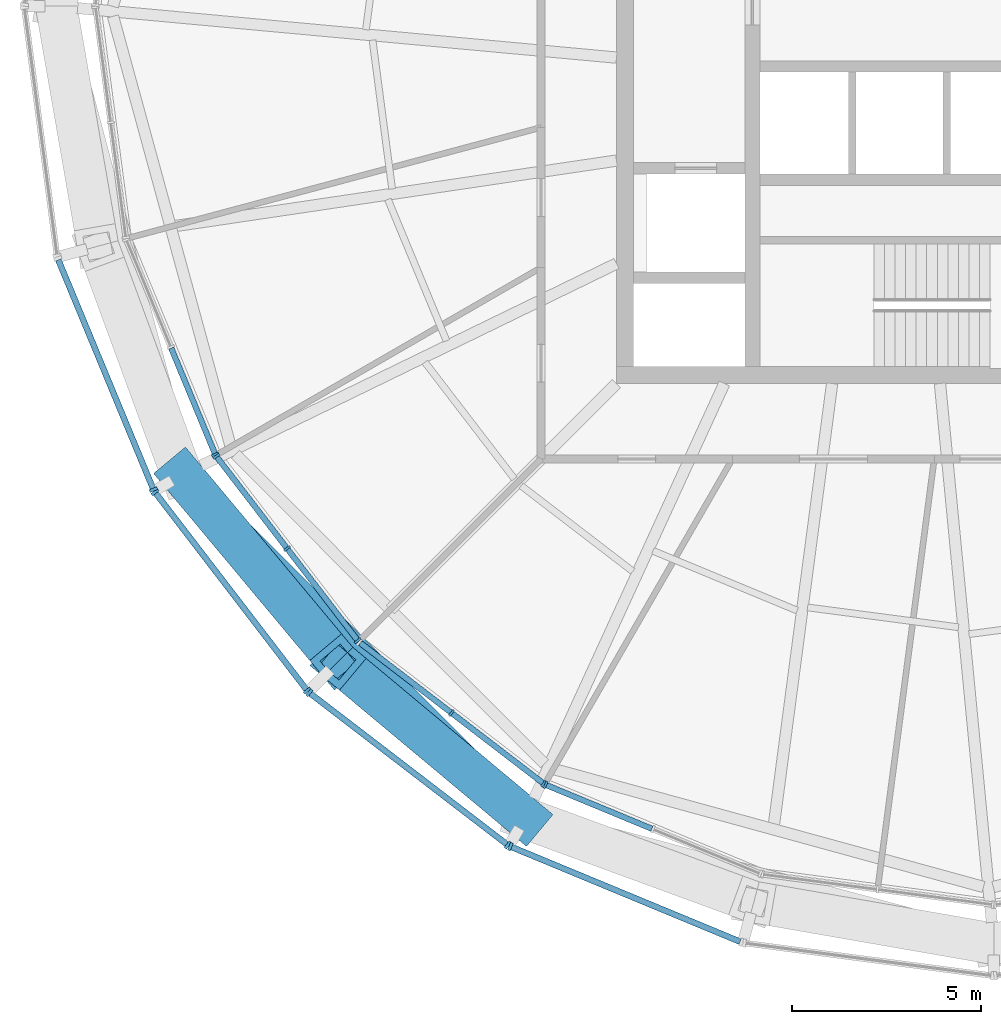
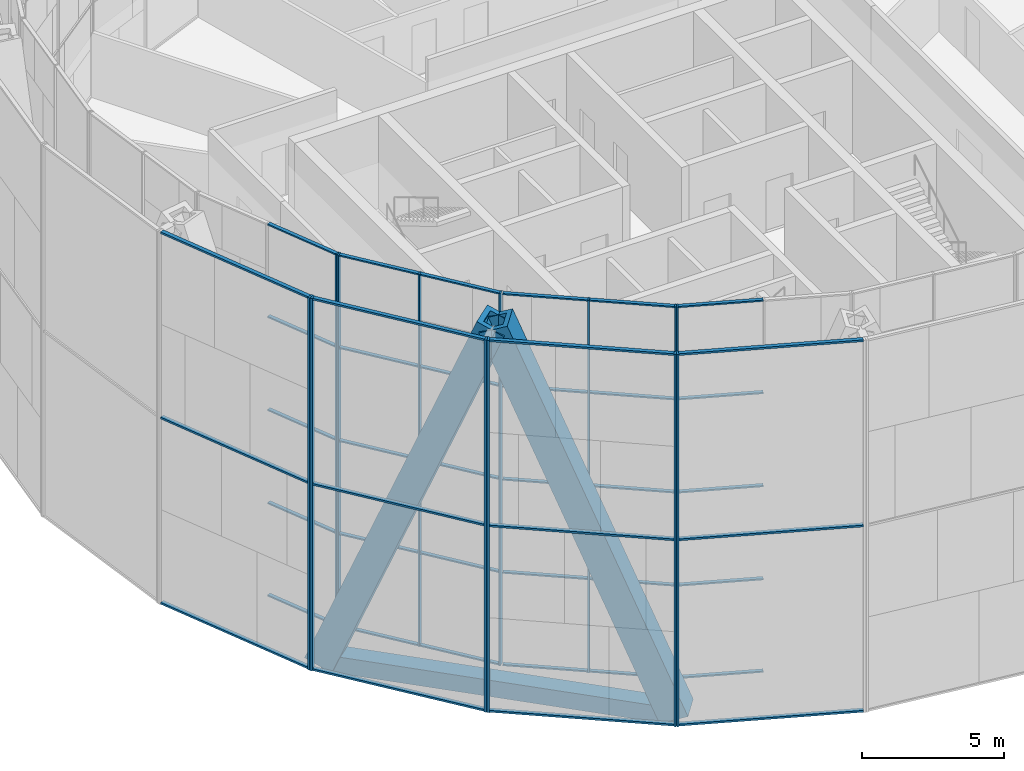
# One storey, part 1 of 28: 57 members, 1 beam, 8 elements without a shape of their own.
"""IFC4 building model written with IfcOpenShell, lengths in metres."""

from ifc_helpers import new_model, si_unit, direction, frame, origin, origin_2d, place, context, subcontext, project, spatial, rectangle, hollow_rectangle, extrude, material, material_profile, profile_set, type_object, element, aggregate, save


model = new_model("IFC4")

# Units and contexts
model_context = context("Model", 3, precision=1e-05, world=origin(), true_north=direction((0.0, 1.0)))
body_context = subcontext(model_context, "Body", "Model", "MODEL_VIEW")
ifc_project = project(units=[si_unit("LENGTHUNIT", "METRE"), si_unit("AREAUNIT", "SQUARE_METRE"), si_unit("VOLUMEUNIT", "CUBIC_METRE"), si_unit("PLANEANGLEUNIT", "RADIAN"), si_unit("MASSUNIT", "GRAM", prefix="KILO")], contexts=[model_context])

# Site, building, storey
site_placement = place(None, origin())
site = spatial("IfcSite", under=ifc_project, at=site_placement, CompositionType="ELEMENT")
building_placement = place(site_placement, origin())
building = spatial("IfcBuilding", under=site, at=building_placement, Name="Golbaran Civic Tower", CompositionType="ELEMENT")
storey_placement = place(building_placement, frame((0.0, 0.0, 183.0)))
storey = spatial("IfcBuildingStorey", under=building, at=storey_placement, Name="L44", CompositionType="ELEMENT", Elevation=183.0)

# Members
ifc_material_1 = material(Name="Steel S355", Category="steel")
ifc_material_profile_1 = material_profile(ifc_material_1, hollow_rectangle(XDim=1.10009765625, YDim=1.10009765625, WallThickness=0.199951171875, at=origin_2d()), Name="BOX 1100x1100x200")
ifc_profile_set_1 = profile_set([ifc_material_profile_1], Name="Steel S355")
member_type_1 = type_object("IfcMemberType", Name="DIAGRID DIAGONAL BOX 1100x1100x200", PredefinedType="BRACE", material=ifc_profile_set_1)
for number, where, z_axis, x_axis, name in (
    (1, (-21.51806640625, -12.423583984375, -0.7099609375), (0.239886471914, -0.287218522204, 0.927340283335), (0.767514155398, 0.641031997067, 0.0), "Diagonal D10-07R L44-L48"),
    (2, (-12.423583984375, -21.51806640625, -0.7099609375), (-0.287218522204, 0.239886471914, 0.927340283335), (-0.641031997067, -0.767514155398, 0.0), "Diagonal D10-08L L44-L48"),
):
    element("IfcMember", number, at=place(storey_placement, frame(where, z_axis=z_axis, x_axis=x_axis)), inside=storey, type_object=member_type_1, Name=name, PredefinedType="BRACE", context=body_context, shape_type="SweptSolid", body=[
        extrude(hollow_rectangle(XDim=1.10009765625, YDim=1.10009765625, WallThickness=0.199951171875, at=origin_2d()), origin(), (0.0, 0.0, 1.0), 17.253662109375),
    ])

# Beam
ifc_material_profile_2 = material_profile(ifc_material_1, hollow_rectangle(XDim=0.699951171875, YDim=0.699951171875, WallThickness=0.080078125, at=origin_2d()), Name="BOX 700x700x80")
ifc_profile_set_2 = profile_set([ifc_material_profile_2], Name="Steel S355")
beam_type = type_object("IfcBeamType", Name="DIAGRID RING TIE BOX 700x700x80", PredefinedType="BEAM", material=ifc_profile_set_2)
beam_placement = place(storey_placement, frame((-21.51806640625, -12.423583984375, -0.7099609375), z_axis=(0.707106781187, -0.707106781187, 0.0), x_axis=(0.707106781187, 0.707106781187, 0.0)))
element("IfcBeam", 3, at=beam_placement, inside=storey, type_object=beam_type, Name="Ring tie 210.00 L44", PredefinedType="BEAM", context=body_context, shape_type="SweptSolid", body=[
    extrude(hollow_rectangle(XDim=0.699951171875, YDim=0.699951171875, WallThickness=0.080078125, at=origin_2d()), origin(), (0.0, 0.0, 1.0), 12.861572265625),
])

# Curtain wall, member
ifc_material_2 = material(Name="Aluminium and glass", Category="aluminium")
curtain_wall_type_1 = type_object("IfcCurtainWallType", Name="INNER SKIN CURTAIN WALL EXECUTIVE", PredefinedType="NOTDEFINED", material=ifc_material_2)
curtain_wall_1_placement = place(storey_placement, origin())
curtain_wall_1 = element("IfcCurtainWall", 4, at=curtain_wall_1_placement, inside=storey, type_object=curtain_wall_type_1, Name="Inner skin L44 facet 14 CW2", ObjectType="INNER SKIN", PredefinedType="USERDEFINED")
ifc_material_3 = material(Name="Aluminium", Category="aluminium")
ifc_material_profile_3 = material_profile(ifc_material_3, rectangle(XDim=0.199951171875, YDim=0.06005859375, at=origin_2d()), Name="INNER SKIN CURTAIN WALL EXECUTIVE MULLION")
ifc_profile_set_3 = profile_set([ifc_material_profile_3], Name="Aluminium")
member_type_2 = type_object("IfcMemberType", Name="INNER SKIN CURTAIN WALL EXECUTIVE MULLION", PredefinedType="MULLION", material=ifc_profile_set_3)
member_1_placement = place(storey_placement, frame((-20.63330078125, -11.878173828125, 0.0), z_axis=(0.0, 0.0, 1.0), x_axis=(0.923879532491, 0.382683432413, 0.0)))
member_1 = element("IfcMember", 5, at=member_1_placement, type_object=member_type_2, Name="CW2 mullion 3", PredefinedType="MULLION", context=body_context, shape_type="SweptSolid", body=[
    extrude(rectangle(XDim=0.199951171875, YDim=0.06005859375, at=origin_2d()), origin(), (0.0, 0.0, 1.0), 16.0),
])

# Curtain wall, members
curtain_wall_2_placement = place(storey_placement, origin())
curtain_wall_2 = element("IfcCurtainWall", 6, at=curtain_wall_2_placement, inside=storey, type_object=curtain_wall_type_1, Name="Inner skin L44 facet 15 CW2", ObjectType="INNER SKIN", PredefinedType="USERDEFINED")
member_2_placement = place(storey_placement, frame((-20.603515625, -11.9296875, 0.0), z_axis=(0.0, 0.0, 1.0), x_axis=(0.793353340334, 0.608761428953, 0.0)))
member_2 = element("IfcMember", 7, at=member_2_placement, type_object=member_type_2, Name="CW2 mullion 1", PredefinedType="MULLION", context=body_context, shape_type="SweptSolid", body=[
    extrude(rectangle(XDim=0.199951171875, YDim=0.06005859375, at=origin_2d()), origin(), (0.0, 0.0, 1.0), 16.0),
])
member_3_placement = place(storey_placement, frame((-18.729736328125, -14.371826171875, 0.0), z_axis=(0.0, 0.0, 1.0), x_axis=(0.793353340334, 0.608761428953, 0.0)))
member_3 = element("IfcMember", 8, at=member_3_placement, type_object=member_type_2, Name="CW2 mullion 2", PredefinedType="MULLION", context=body_context, shape_type="SweptSolid", body=[
    extrude(rectangle(XDim=0.199951171875, YDim=0.06005859375, at=origin_2d()), origin(), (0.0, 0.0, 1.0), 16.0),
])
member_4_placement = place(storey_placement, frame((-16.85595703125, -16.813720703125, 0.0), z_axis=(0.0, 0.0, 1.0), x_axis=(0.793353340334, 0.608761428953, 0.0)))
member_4 = element("IfcMember", 9, at=member_4_placement, type_object=member_type_2, Name="CW2 mullion 3", PredefinedType="MULLION", context=body_context, shape_type="SweptSolid", body=[
    extrude(rectangle(XDim=0.199951171875, YDim=0.06005859375, at=origin_2d()), origin(), (0.0, 0.0, 1.0), 16.0),
])

curtain_wall_3_placement = place(storey_placement, origin())
curtain_wall_3 = element("IfcCurtainWall", 10, at=curtain_wall_3_placement, inside=storey, type_object=curtain_wall_type_1, Name="Inner skin L44 facet 16 CW2", ObjectType="INNER SKIN", PredefinedType="USERDEFINED")
member_5_placement = place(storey_placement, frame((-14.371826171875, -18.729736328125, 0.0), z_axis=(0.0, 0.0, 1.0), x_axis=(0.608761428953, 0.793353340334, 0.0)))
member_5 = element("IfcMember", 11, at=member_5_placement, type_object=member_type_2, Name="CW2 mullion 2", PredefinedType="MULLION", context=body_context, shape_type="SweptSolid", body=[
    extrude(rectangle(XDim=0.199951171875, YDim=0.06005859375, at=origin_2d()), origin(), (0.0, 0.0, 1.0), 16.0),
])
member_6_placement = place(storey_placement, frame((-11.9296875, -20.603515625, 0.0), z_axis=(0.0, 0.0, 1.0), x_axis=(0.608761428953, 0.793353340334, 0.0)))
member_6 = element("IfcMember", 12, at=member_6_placement, type_object=member_type_2, Name="CW2 mullion 3", PredefinedType="MULLION", context=body_context, shape_type="SweptSolid", body=[
    extrude(rectangle(XDim=0.199951171875, YDim=0.06005859375, at=origin_2d()), origin(), (0.0, 0.0, 1.0), 16.0),
])

# Curtain wall, member
curtain_wall_4_placement = place(storey_placement, origin())
curtain_wall_4 = element("IfcCurtainWall", 13, at=curtain_wall_4_placement, inside=storey, type_object=curtain_wall_type_1, Name="Inner skin L44 facet 17 CW2", ObjectType="INNER SKIN", PredefinedType="USERDEFINED")
member_7_placement = place(storey_placement, frame((-11.878173828125, -20.63330078125, 0.0), z_axis=(0.0, 0.0, 1.0), x_axis=(0.382683432413, 0.923879532491, 0.0)))
member_7 = element("IfcMember", 14, at=member_7_placement, type_object=member_type_2, Name="CW2 mullion 1", PredefinedType="MULLION", context=body_context, shape_type="SweptSolid", body=[
    extrude(rectangle(XDim=0.199951171875, YDim=0.06005859375, at=origin_2d()), origin(), (0.0, 0.0, 1.0), 16.0),
])

# Member
ifc_material_profile_4 = material_profile(ifc_material_3, rectangle(XDim=0.14990234375, YDim=0.06005859375, at=origin_2d()), Name="INNER SKIN CURTAIN WALL EXECUTIVE TRANSOM")
ifc_profile_set_4 = profile_set([ifc_material_profile_4], Name="Aluminium")
member_type_3 = type_object("IfcMemberType", Name="INNER SKIN CURTAIN WALL EXECUTIVE TRANSOM", PredefinedType="USERDEFINED", material=ifc_profile_set_4)
member_8_placement = place(storey_placement, frame((-21.7998046875, -9.062255859375, 0.030029296875), z_axis=(0.382701860943, -0.923871898929, 0.0), x_axis=(0.923871898929, 0.382701860943, 0.0)))
member_8 = element("IfcMember", 15, at=member_8_placement, type_object=member_type_3, Name="CW2 transom 2.1", ObjectType="TRANSOM", PredefinedType="USERDEFINED", context=body_context, shape_type="SweptSolid", body=[
    extrude(rectangle(XDim=0.14990234375, YDim=0.06005859375, at=origin_2d()), origin(), (0.0, 0.0, 1.0), 3.01806640625),
])

member_9_placement = place(storey_placement, frame((-21.7998046875, -9.062255859375, 4.0), z_axis=(0.382701860943, -0.923871898929, 0.0), x_axis=(0.923871898929, 0.382701860943, 0.0)))
member_9 = element("IfcMember", 16, at=member_9_placement, type_object=member_type_3, Name="CW2 transom 2.2", ObjectType="TRANSOM", PredefinedType="USERDEFINED", context=body_context, shape_type="SweptSolid", body=[
    extrude(rectangle(XDim=0.14990234375, YDim=0.06005859375, at=origin_2d()), origin(), (0.0, 0.0, 1.0), 3.01806640625),
])

member_10_placement = place(storey_placement, frame((-21.7998046875, -9.062255859375, 8.0), z_axis=(0.382701860943, -0.923871898929, 0.0), x_axis=(0.923871898929, 0.382701860943, 0.0)))
member_10 = element("IfcMember", 17, at=member_10_placement, type_object=member_type_3, Name="CW2 transom 2.3", ObjectType="TRANSOM", PredefinedType="USERDEFINED", context=body_context, shape_type="SweptSolid", body=[
    extrude(rectangle(XDim=0.14990234375, YDim=0.06005859375, at=origin_2d()), origin(), (0.0, 0.0, 1.0), 3.01806640625),
])

member_11_placement = place(storey_placement, frame((-21.7998046875, -9.062255859375, 12.0), z_axis=(0.382701860943, -0.923871898929, 0.0), x_axis=(0.923871898929, 0.382701860943, 0.0)))
member_11 = element("IfcMember", 18, at=member_11_placement, type_object=member_type_3, Name="CW2 transom 2.4", ObjectType="TRANSOM", PredefinedType="USERDEFINED", context=body_context, shape_type="SweptSolid", body=[
    extrude(rectangle(XDim=0.14990234375, YDim=0.06005859375, at=origin_2d()), origin(), (0.0, 0.0, 1.0), 3.01806640625),
])

member_12_placement = place(storey_placement, frame((-21.7998046875, -9.062255859375, 15.969970703125), z_axis=(0.382701860943, -0.923871898929, 0.0), x_axis=(0.923871898929, 0.382701860943, 0.0)))
member_12 = element("IfcMember", 19, at=member_12_placement, type_object=member_type_3, Name="CW2 transom 2.5", ObjectType="TRANSOM", PredefinedType="USERDEFINED", context=body_context, shape_type="SweptSolid", body=[
    extrude(rectangle(XDim=0.14990234375, YDim=0.06005859375, at=origin_2d()), origin(), (0.0, 0.0, 1.0), 3.01806640625),
])

aggregate(curtain_wall_1, [member_1, member_8, member_9, member_10, member_11, member_12])

member_13_placement = place(storey_placement, frame((-20.585205078125, -11.95361328125, 0.030029296875), z_axis=(0.608752479135, -0.793360207691, 0.0), x_axis=(0.793360207691, 0.608752479135, 0.0)))
member_13 = element("IfcMember", 20, at=member_13_placement, type_object=member_type_3, Name="CW2 transom 1.1", ObjectType="TRANSOM", PredefinedType="USERDEFINED", context=body_context, shape_type="SweptSolid", body=[
    extrude(rectangle(XDim=0.14990234375, YDim=0.06005859375, at=origin_2d()), origin(), (0.0, 0.0, 1.0), 3.017822265625),
])

member_14_placement = place(storey_placement, frame((-20.585205078125, -11.95361328125, 4.0), z_axis=(0.608752479135, -0.793360207691, 0.0), x_axis=(0.793360207691, 0.608752479135, 0.0)))
member_14 = element("IfcMember", 21, at=member_14_placement, type_object=member_type_3, Name="CW2 transom 1.2", ObjectType="TRANSOM", PredefinedType="USERDEFINED", context=body_context, shape_type="SweptSolid", body=[
    extrude(rectangle(XDim=0.14990234375, YDim=0.06005859375, at=origin_2d()), origin(), (0.0, 0.0, 1.0), 3.017822265625),
])

member_15_placement = place(storey_placement, frame((-20.585205078125, -11.95361328125, 8.0), z_axis=(0.608752479135, -0.793360207691, 0.0), x_axis=(0.793360207691, 0.608752479135, 0.0)))
member_15 = element("IfcMember", 22, at=member_15_placement, type_object=member_type_3, Name="CW2 transom 1.3", ObjectType="TRANSOM", PredefinedType="USERDEFINED", context=body_context, shape_type="SweptSolid", body=[
    extrude(rectangle(XDim=0.14990234375, YDim=0.06005859375, at=origin_2d()), origin(), (0.0, 0.0, 1.0), 3.017822265625),
])

member_16_placement = place(storey_placement, frame((-20.585205078125, -11.95361328125, 12.0), z_axis=(0.608752479135, -0.793360207691, 0.0), x_axis=(0.793360207691, 0.608752479135, 0.0)))
member_16 = element("IfcMember", 23, at=member_16_placement, type_object=member_type_3, Name="CW2 transom 1.4", ObjectType="TRANSOM", PredefinedType="USERDEFINED", context=body_context, shape_type="SweptSolid", body=[
    extrude(rectangle(XDim=0.14990234375, YDim=0.06005859375, at=origin_2d()), origin(), (0.0, 0.0, 1.0), 3.017822265625),
])

member_17_placement = place(storey_placement, frame((-20.585205078125, -11.95361328125, 15.969970703125), z_axis=(0.608752479135, -0.793360207691, 0.0), x_axis=(0.793360207691, 0.608752479135, 0.0)))
member_17 = element("IfcMember", 24, at=member_17_placement, type_object=member_type_3, Name="CW2 transom 1.5", ObjectType="TRANSOM", PredefinedType="USERDEFINED", context=body_context, shape_type="SweptSolid", body=[
    extrude(rectangle(XDim=0.14990234375, YDim=0.06005859375, at=origin_2d()), origin(), (0.0, 0.0, 1.0), 3.017822265625),
])

member_18_placement = place(storey_placement, frame((-18.71142578125, -14.3955078125, 0.030029296875), z_axis=(0.608713410726, -0.793390183707, 0.0), x_axis=(0.793390183707, 0.608713410726, 0.0)))
member_18 = element("IfcMember", 25, at=member_18_placement, type_object=member_type_3, Name="CW2 transom 2.1", ObjectType="TRANSOM", PredefinedType="USERDEFINED", context=body_context, shape_type="SweptSolid", body=[
    extrude(rectangle(XDim=0.14990234375, YDim=0.06005859375, at=origin_2d()), origin(), (0.0, 0.0, 1.0), 3.01806640625),
])

member_19_placement = place(storey_placement, frame((-18.71142578125, -14.3955078125, 4.0), z_axis=(0.608713410726, -0.793390183707, 0.0), x_axis=(0.793390183707, 0.608713410726, 0.0)))
member_19 = element("IfcMember", 26, at=member_19_placement, type_object=member_type_3, Name="CW2 transom 2.2", ObjectType="TRANSOM", PredefinedType="USERDEFINED", context=body_context, shape_type="SweptSolid", body=[
    extrude(rectangle(XDim=0.14990234375, YDim=0.06005859375, at=origin_2d()), origin(), (0.0, 0.0, 1.0), 3.01806640625),
])

member_20_placement = place(storey_placement, frame((-18.71142578125, -14.3955078125, 8.0), z_axis=(0.608713410726, -0.793390183707, 0.0), x_axis=(0.793390183707, 0.608713410726, 0.0)))
member_20 = element("IfcMember", 27, at=member_20_placement, type_object=member_type_3, Name="CW2 transom 2.3", ObjectType="TRANSOM", PredefinedType="USERDEFINED", context=body_context, shape_type="SweptSolid", body=[
    extrude(rectangle(XDim=0.14990234375, YDim=0.06005859375, at=origin_2d()), origin(), (0.0, 0.0, 1.0), 3.01806640625),
])

member_21_placement = place(storey_placement, frame((-18.71142578125, -14.3955078125, 12.0), z_axis=(0.608713410726, -0.793390183707, 0.0), x_axis=(0.793390183707, 0.608713410726, 0.0)))
member_21 = element("IfcMember", 28, at=member_21_placement, type_object=member_type_3, Name="CW2 transom 2.4", ObjectType="TRANSOM", PredefinedType="USERDEFINED", context=body_context, shape_type="SweptSolid", body=[
    extrude(rectangle(XDim=0.14990234375, YDim=0.06005859375, at=origin_2d()), origin(), (0.0, 0.0, 1.0), 3.01806640625),
])

member_22_placement = place(storey_placement, frame((-18.71142578125, -14.3955078125, 15.969970703125), z_axis=(0.608713410726, -0.793390183707, 0.0), x_axis=(0.793390183707, 0.608713410726, 0.0)))
member_22 = element("IfcMember", 29, at=member_22_placement, type_object=member_type_3, Name="CW2 transom 2.5", ObjectType="TRANSOM", PredefinedType="USERDEFINED", context=body_context, shape_type="SweptSolid", body=[
    extrude(rectangle(XDim=0.14990234375, YDim=0.06005859375, at=origin_2d()), origin(), (0.0, 0.0, 1.0), 3.01806640625),
])

aggregate(curtain_wall_2, [member_2, member_3, member_4, member_13, member_14, member_15, member_16, member_17, member_18, member_19, member_20, member_21, member_22])

member_23_placement = place(storey_placement, frame((-16.7900390625, -16.874267578125, 0.030029296875), z_axis=(0.793390183707, -0.608713410726, 0.0), x_axis=(0.608713410726, 0.793390183707, 0.0)))
member_23 = element("IfcMember", 30, at=member_23_placement, type_object=member_type_3, Name="CW2 transom 1.1", ObjectType="TRANSOM", PredefinedType="USERDEFINED", context=body_context, shape_type="SweptSolid", body=[
    extrude(rectangle(XDim=0.14990234375, YDim=0.06005859375, at=origin_2d()), origin(), (0.0, 0.0, 1.0), 3.01806640625),
])

member_24_placement = place(storey_placement, frame((-16.7900390625, -16.874267578125, 4.0), z_axis=(0.793390183707, -0.608713410726, 0.0), x_axis=(0.608713410726, 0.793390183707, 0.0)))
member_24 = element("IfcMember", 31, at=member_24_placement, type_object=member_type_3, Name="CW2 transom 1.2", ObjectType="TRANSOM", PredefinedType="USERDEFINED", context=body_context, shape_type="SweptSolid", body=[
    extrude(rectangle(XDim=0.14990234375, YDim=0.06005859375, at=origin_2d()), origin(), (0.0, 0.0, 1.0), 3.01806640625),
])

member_25_placement = place(storey_placement, frame((-16.7900390625, -16.874267578125, 8.0), z_axis=(0.793390183707, -0.608713410726, 0.0), x_axis=(0.608713410726, 0.793390183707, 0.0)))
member_25 = element("IfcMember", 32, at=member_25_placement, type_object=member_type_3, Name="CW2 transom 1.3", ObjectType="TRANSOM", PredefinedType="USERDEFINED", context=body_context, shape_type="SweptSolid", body=[
    extrude(rectangle(XDim=0.14990234375, YDim=0.06005859375, at=origin_2d()), origin(), (0.0, 0.0, 1.0), 3.01806640625),
])

member_26_placement = place(storey_placement, frame((-16.7900390625, -16.874267578125, 12.0), z_axis=(0.793390183707, -0.608713410726, 0.0), x_axis=(0.608713410726, 0.793390183707, 0.0)))
member_26 = element("IfcMember", 33, at=member_26_placement, type_object=member_type_3, Name="CW2 transom 1.4", ObjectType="TRANSOM", PredefinedType="USERDEFINED", context=body_context, shape_type="SweptSolid", body=[
    extrude(rectangle(XDim=0.14990234375, YDim=0.06005859375, at=origin_2d()), origin(), (0.0, 0.0, 1.0), 3.01806640625),
])

member_27_placement = place(storey_placement, frame((-16.7900390625, -16.874267578125, 15.969970703125), z_axis=(0.793390183707, -0.608713410726, 0.0), x_axis=(0.608713410726, 0.793390183707, 0.0)))
member_27 = element("IfcMember", 34, at=member_27_placement, type_object=member_type_3, Name="CW2 transom 1.5", ObjectType="TRANSOM", PredefinedType="USERDEFINED", context=body_context, shape_type="SweptSolid", body=[
    extrude(rectangle(XDim=0.14990234375, YDim=0.06005859375, at=origin_2d()), origin(), (0.0, 0.0, 1.0), 3.01806640625),
])

member_28_placement = place(storey_placement, frame((-14.347900390625, -18.748046875, 0.030029296875), z_axis=(0.793360207691, -0.608752479135, 0.0), x_axis=(0.608752479135, 0.793360207691, 0.0)))
member_28 = element("IfcMember", 35, at=member_28_placement, type_object=member_type_3, Name="CW2 transom 2.1", ObjectType="TRANSOM", PredefinedType="USERDEFINED", context=body_context, shape_type="SweptSolid", body=[
    extrude(rectangle(XDim=0.14990234375, YDim=0.06005859375, at=origin_2d()), origin(), (0.0, 0.0, 1.0), 3.017822265625),
])

member_29_placement = place(storey_placement, frame((-14.347900390625, -18.748046875, 4.0), z_axis=(0.793360207691, -0.608752479135, 0.0), x_axis=(0.608752479135, 0.793360207691, 0.0)))
member_29 = element("IfcMember", 36, at=member_29_placement, type_object=member_type_3, Name="CW2 transom 2.2", ObjectType="TRANSOM", PredefinedType="USERDEFINED", context=body_context, shape_type="SweptSolid", body=[
    extrude(rectangle(XDim=0.14990234375, YDim=0.06005859375, at=origin_2d()), origin(), (0.0, 0.0, 1.0), 3.017822265625),
])

member_30_placement = place(storey_placement, frame((-14.347900390625, -18.748046875, 8.0), z_axis=(0.793360207691, -0.608752479135, 0.0), x_axis=(0.608752479135, 0.793360207691, 0.0)))
member_30 = element("IfcMember", 37, at=member_30_placement, type_object=member_type_3, Name="CW2 transom 2.3", ObjectType="TRANSOM", PredefinedType="USERDEFINED", context=body_context, shape_type="SweptSolid", body=[
    extrude(rectangle(XDim=0.14990234375, YDim=0.06005859375, at=origin_2d()), origin(), (0.0, 0.0, 1.0), 3.017822265625),
])

member_31_placement = place(storey_placement, frame((-14.347900390625, -18.748046875, 12.0), z_axis=(0.793360207691, -0.608752479135, 0.0), x_axis=(0.608752479135, 0.793360207691, 0.0)))
member_31 = element("IfcMember", 38, at=member_31_placement, type_object=member_type_3, Name="CW2 transom 2.4", ObjectType="TRANSOM", PredefinedType="USERDEFINED", context=body_context, shape_type="SweptSolid", body=[
    extrude(rectangle(XDim=0.14990234375, YDim=0.06005859375, at=origin_2d()), origin(), (0.0, 0.0, 1.0), 3.017822265625),
])

member_32_placement = place(storey_placement, frame((-14.347900390625, -18.748046875, 15.969970703125), z_axis=(0.793360207691, -0.608752479135, 0.0), x_axis=(0.608752479135, 0.793360207691, 0.0)))
member_32 = element("IfcMember", 39, at=member_32_placement, type_object=member_type_3, Name="CW2 transom 2.5", ObjectType="TRANSOM", PredefinedType="USERDEFINED", context=body_context, shape_type="SweptSolid", body=[
    extrude(rectangle(XDim=0.14990234375, YDim=0.06005859375, at=origin_2d()), origin(), (0.0, 0.0, 1.0), 3.017822265625),
])

aggregate(curtain_wall_3, [member_5, member_6, member_23, member_24, member_25, member_26, member_27, member_28, member_29, member_30, member_31, member_32])

member_33_placement = place(storey_placement, frame((-11.8505859375, -20.644775390625, 0.030029296875), z_axis=(0.923871898929, -0.382701860943, 0.0), x_axis=(0.382701860943, 0.923871898929, 0.0)))
member_33 = element("IfcMember", 40, at=member_33_placement, type_object=member_type_3, Name="CW2 transom 1.1", ObjectType="TRANSOM", PredefinedType="USERDEFINED", context=body_context, shape_type="SweptSolid", body=[
    extrude(rectangle(XDim=0.14990234375, YDim=0.06005859375, at=origin_2d()), origin(), (0.0, 0.0, 1.0), 3.01806640625),
])

member_34_placement = place(storey_placement, frame((-11.8505859375, -20.644775390625, 4.0), z_axis=(0.923871898929, -0.382701860943, 0.0), x_axis=(0.382701860943, 0.923871898929, 0.0)))
member_34 = element("IfcMember", 41, at=member_34_placement, type_object=member_type_3, Name="CW2 transom 1.2", ObjectType="TRANSOM", PredefinedType="USERDEFINED", context=body_context, shape_type="SweptSolid", body=[
    extrude(rectangle(XDim=0.14990234375, YDim=0.06005859375, at=origin_2d()), origin(), (0.0, 0.0, 1.0), 3.01806640625),
])

member_35_placement = place(storey_placement, frame((-11.8505859375, -20.644775390625, 8.0), z_axis=(0.923871898929, -0.382701860943, 0.0), x_axis=(0.382701860943, 0.923871898929, 0.0)))
member_35 = element("IfcMember", 42, at=member_35_placement, type_object=member_type_3, Name="CW2 transom 1.3", ObjectType="TRANSOM", PredefinedType="USERDEFINED", context=body_context, shape_type="SweptSolid", body=[
    extrude(rectangle(XDim=0.14990234375, YDim=0.06005859375, at=origin_2d()), origin(), (0.0, 0.0, 1.0), 3.01806640625),
])

member_36_placement = place(storey_placement, frame((-11.8505859375, -20.644775390625, 12.0), z_axis=(0.923871898929, -0.382701860943, 0.0), x_axis=(0.382701860943, 0.923871898929, 0.0)))
member_36 = element("IfcMember", 43, at=member_36_placement, type_object=member_type_3, Name="CW2 transom 1.4", ObjectType="TRANSOM", PredefinedType="USERDEFINED", context=body_context, shape_type="SweptSolid", body=[
    extrude(rectangle(XDim=0.14990234375, YDim=0.06005859375, at=origin_2d()), origin(), (0.0, 0.0, 1.0), 3.01806640625),
])

member_37_placement = place(storey_placement, frame((-11.8505859375, -20.644775390625, 15.969970703125), z_axis=(0.923871898929, -0.382701860943, 0.0), x_axis=(0.382701860943, 0.923871898929, 0.0)))
member_37 = element("IfcMember", 44, at=member_37_placement, type_object=member_type_3, Name="CW2 transom 1.5", ObjectType="TRANSOM", PredefinedType="USERDEFINED", context=body_context, shape_type="SweptSolid", body=[
    extrude(rectangle(XDim=0.14990234375, YDim=0.06005859375, at=origin_2d()), origin(), (0.0, 0.0, 1.0), 3.01806640625),
])

aggregate(curtain_wall_4, [member_7, member_33, member_34, member_35, member_36, member_37])

# Curtain wall, member
curtain_wall_type_2 = type_object("IfcCurtainWallType", Name="OUTER SKIN TERRACOTTA SCREEN", PredefinedType="NOTDEFINED", material=ifc_material_2)
curtain_wall_5_placement = place(storey_placement, origin())
curtain_wall_5 = element("IfcCurtainWall", 45, at=curtain_wall_5_placement, inside=storey, type_object=curtain_wall_type_2, Name="Outer skin L44 facet 14 CW3", ObjectType="OUTER SKIN", PredefinedType="USERDEFINED")
ifc_material_profile_5 = material_profile(ifc_material_3, rectangle(XDim=0.219970703125, YDim=0.080078125, at=origin_2d()), Name="OUTER SKIN TERRACOTTA SCREEN MULLION")
ifc_profile_set_5 = profile_set([ifc_material_profile_5], Name="Aluminium")
member_type_4 = type_object("IfcMemberType", Name="OUTER SKIN TERRACOTTA SCREEN MULLION", PredefinedType="MULLION", material=ifc_profile_set_5)
member_38_placement = place(storey_placement, frame((-22.26953125, -12.8115234375, -0.7099609375), z_axis=(0.0, 0.0, 1.0), x_axis=(0.923879532518, 0.382683432349, 0.0)))
member_38 = element("IfcMember", 46, at=member_38_placement, type_object=member_type_4, Name="CW3 mullion 2", PredefinedType="MULLION", context=body_context, shape_type="SweptSolid", body=[
    extrude(rectangle(XDim=0.219970703125, YDim=0.080078125, at=origin_2d()), origin(), (0.0, 0.0, 1.0), 16.0),
])

# Curtain wall, members
curtain_wall_6_placement = place(storey_placement, origin())
curtain_wall_6 = element("IfcCurtainWall", 47, at=curtain_wall_6_placement, inside=storey, type_object=curtain_wall_type_2, Name="Outer skin L44 facet 15 CW3", ObjectType="OUTER SKIN", PredefinedType="USERDEFINED")
member_39_placement = place(storey_placement, frame((-22.22998046875, -12.880126953125, -0.7099609375), z_axis=(0.0, 0.0, 1.0), x_axis=(0.793353340281, 0.608761429023, 0.0)))
member_39 = element("IfcMember", 48, at=member_39_placement, type_object=member_type_4, Name="CW3 mullion 1", PredefinedType="MULLION", context=body_context, shape_type="SweptSolid", body=[
    extrude(rectangle(XDim=0.219970703125, YDim=0.080078125, at=origin_2d()), origin(), (0.0, 0.0, 1.0), 16.0),
])
member_40_placement = place(storey_placement, frame((-18.19482421875, -18.138671875, -0.7099609375), z_axis=(0.0, 0.0, 1.0), x_axis=(0.793353340281, 0.608761429023, 0.0)))
member_40 = element("IfcMember", 49, at=member_40_placement, type_object=member_type_4, Name="CW3 mullion 2", PredefinedType="MULLION", context=body_context, shape_type="SweptSolid", body=[
    extrude(rectangle(XDim=0.219970703125, YDim=0.080078125, at=origin_2d()), origin(), (0.0, 0.0, 1.0), 16.0),
])

curtain_wall_7_placement = place(storey_placement, origin())
curtain_wall_7 = element("IfcCurtainWall", 50, at=curtain_wall_7_placement, inside=storey, type_object=curtain_wall_type_2, Name="Outer skin L44 facet 16 CW3", ObjectType="OUTER SKIN", PredefinedType="USERDEFINED")
member_41_placement = place(storey_placement, frame((-18.138671875, -18.19482421875, -0.7099609375), z_axis=(0.0, 0.0, 1.0), x_axis=(0.608761429023, 0.793353340281, 0.0)))
member_41 = element("IfcMember", 51, at=member_41_placement, type_object=member_type_4, Name="CW3 mullion 1", PredefinedType="MULLION", context=body_context, shape_type="SweptSolid", body=[
    extrude(rectangle(XDim=0.219970703125, YDim=0.080078125, at=origin_2d()), origin(), (0.0, 0.0, 1.0), 16.0),
])
member_42_placement = place(storey_placement, frame((-12.880126953125, -22.22998046875, -0.7099609375), z_axis=(0.0, 0.0, 1.0), x_axis=(0.608761429023, 0.793353340281, 0.0)))
member_42 = element("IfcMember", 52, at=member_42_placement, type_object=member_type_4, Name="CW3 mullion 2", PredefinedType="MULLION", context=body_context, shape_type="SweptSolid", body=[
    extrude(rectangle(XDim=0.219970703125, YDim=0.080078125, at=origin_2d()), origin(), (0.0, 0.0, 1.0), 16.0),
])

# Curtain wall, member
curtain_wall_8_placement = place(storey_placement, origin())
curtain_wall_8 = element("IfcCurtainWall", 53, at=curtain_wall_8_placement, inside=storey, type_object=curtain_wall_type_2, Name="Outer skin L44 facet 17 CW3", ObjectType="OUTER SKIN", PredefinedType="USERDEFINED")
member_43_placement = place(storey_placement, frame((-12.8115234375, -22.26953125, -0.7099609375), z_axis=(0.0, 0.0, 1.0), x_axis=(0.382683432349, 0.923879532518, 0.0)))
member_43 = element("IfcMember", 54, at=member_43_placement, type_object=member_type_4, Name="CW3 mullion 1", PredefinedType="MULLION", context=body_context, shape_type="SweptSolid", body=[
    extrude(rectangle(XDim=0.219970703125, YDim=0.080078125, at=origin_2d()), origin(), (0.0, 0.0, 1.0), 16.0),
])

# Member
ifc_material_profile_6 = material_profile(ifc_material_3, rectangle(XDim=0.159912109375, YDim=0.080078125, at=origin_2d()), Name="OUTER SKIN TERRACOTTA SCREEN TRANSOM")
ifc_profile_set_6 = profile_set([ifc_material_profile_6], Name="Aluminium")
member_type_5 = type_object("IfcMemberType", Name="OUTER SKIN TERRACOTTA SCREEN TRANSOM", PredefinedType="USERDEFINED", material=ifc_profile_set_6)
member_44_placement = place(storey_placement, frame((-24.790771484375, -6.724853515625, -0.669921875), z_axis=(0.382676683396, -0.923882327997, 0.0), x_axis=(0.923882327997, 0.382676683396, 0.0)))
member_44 = element("IfcMember", 55, at=member_44_placement, type_object=member_type_5, Name="CW3 transom 1.1", ObjectType="TRANSOM", PredefinedType="USERDEFINED", context=body_context, shape_type="SweptSolid", body=[
    extrude(rectangle(XDim=0.159912109375, YDim=0.080078125, at=origin_2d()), origin(), (0.0, 0.0, 1.0), 6.54833984375),
])

member_45_placement = place(storey_placement, frame((-24.790771484375, -6.724853515625, 7.2900390625), z_axis=(0.382676683396, -0.923882327997, 0.0), x_axis=(0.923882327997, 0.382676683396, 0.0)))
member_45 = element("IfcMember", 56, at=member_45_placement, type_object=member_type_5, Name="CW3 transom 1.2", ObjectType="TRANSOM", PredefinedType="USERDEFINED", context=body_context, shape_type="SweptSolid", body=[
    extrude(rectangle(XDim=0.159912109375, YDim=0.080078125, at=origin_2d()), origin(), (0.0, 0.0, 1.0), 6.54833984375),
])

member_46_placement = place(storey_placement, frame((-24.790771484375, -6.724853515625, 15.25), z_axis=(0.382676683396, -0.923882327997, 0.0), x_axis=(0.923882327997, 0.382676683396, 0.0)))
member_46 = element("IfcMember", 57, at=member_46_placement, type_object=member_type_5, Name="CW3 transom 1.3", ObjectType="TRANSOM", PredefinedType="USERDEFINED", context=body_context, shape_type="SweptSolid", body=[
    extrude(rectangle(XDim=0.159912109375, YDim=0.080078125, at=origin_2d()), origin(), (0.0, 0.0, 1.0), 6.54833984375),
])

aggregate(curtain_wall_5, [member_38, member_44, member_45, member_46])

member_47_placement = place(storey_placement, frame((-22.20556640625, -12.911865234375, -0.669921875), z_axis=(0.608762579401, -0.793352457563, 0.0), x_axis=(0.793352457563, 0.608762579401, 0.0)))
member_47 = element("IfcMember", 58, at=member_47_placement, type_object=member_type_5, Name="CW3 transom 1.1", ObjectType="TRANSOM", PredefinedType="USERDEFINED", context=body_context, shape_type="SweptSolid", body=[
    extrude(rectangle(XDim=0.159912109375, YDim=0.080078125, at=origin_2d()), origin(), (0.0, 0.0, 1.0), 6.54833984375),
])

member_48_placement = place(storey_placement, frame((-22.20556640625, -12.911865234375, 7.2900390625), z_axis=(0.608762579401, -0.793352457563, 0.0), x_axis=(0.793352457563, 0.608762579401, 0.0)))
member_48 = element("IfcMember", 59, at=member_48_placement, type_object=member_type_5, Name="CW3 transom 1.2", ObjectType="TRANSOM", PredefinedType="USERDEFINED", context=body_context, shape_type="SweptSolid", body=[
    extrude(rectangle(XDim=0.159912109375, YDim=0.080078125, at=origin_2d()), origin(), (0.0, 0.0, 1.0), 6.54833984375),
])

member_49_placement = place(storey_placement, frame((-22.20556640625, -12.911865234375, 15.25), z_axis=(0.608762579401, -0.793352457563, 0.0), x_axis=(0.793352457563, 0.608762579401, 0.0)))
member_49 = element("IfcMember", 60, at=member_49_placement, type_object=member_type_5, Name="CW3 transom 1.3", ObjectType="TRANSOM", PredefinedType="USERDEFINED", context=body_context, shape_type="SweptSolid", body=[
    extrude(rectangle(XDim=0.159912109375, YDim=0.080078125, at=origin_2d()), origin(), (0.0, 0.0, 1.0), 6.54833984375),
])

aggregate(curtain_wall_6, [member_39, member_40, member_47, member_48, member_49])

member_50_placement = place(storey_placement, frame((-18.10693359375, -18.21923828125, -0.669921875), z_axis=(0.793352457563, -0.608762579401, 0.0), x_axis=(0.608762579401, 0.793352457563, 0.0)))
member_50 = element("IfcMember", 61, at=member_50_placement, type_object=member_type_5, Name="CW3 transom 1.1", ObjectType="TRANSOM", PredefinedType="USERDEFINED", context=body_context, shape_type="SweptSolid", body=[
    extrude(rectangle(XDim=0.159912109375, YDim=0.080078125, at=origin_2d()), origin(), (0.0, 0.0, 1.0), 6.54833984375),
])

member_51_placement = place(storey_placement, frame((-18.10693359375, -18.21923828125, 7.2900390625), z_axis=(0.793352457563, -0.608762579401, 0.0), x_axis=(0.608762579401, 0.793352457563, 0.0)))
member_51 = element("IfcMember", 62, at=member_51_placement, type_object=member_type_5, Name="CW3 transom 1.2", ObjectType="TRANSOM", PredefinedType="USERDEFINED", context=body_context, shape_type="SweptSolid", body=[
    extrude(rectangle(XDim=0.159912109375, YDim=0.080078125, at=origin_2d()), origin(), (0.0, 0.0, 1.0), 6.54833984375),
])

member_52_placement = place(storey_placement, frame((-18.10693359375, -18.21923828125, 15.25), z_axis=(0.793352457563, -0.608762579401, 0.0), x_axis=(0.608762579401, 0.793352457563, 0.0)))
member_52 = element("IfcMember", 63, at=member_52_placement, type_object=member_type_5, Name="CW3 transom 1.3", ObjectType="TRANSOM", PredefinedType="USERDEFINED", context=body_context, shape_type="SweptSolid", body=[
    extrude(rectangle(XDim=0.159912109375, YDim=0.080078125, at=origin_2d()), origin(), (0.0, 0.0, 1.0), 6.54833984375),
])

aggregate(curtain_wall_7, [member_41, member_42, member_50, member_51, member_52])

member_53_placement = place(storey_placement, frame((-12.774658203125, -22.284912109375, -0.669921875), z_axis=(0.923882327997, -0.382676683396, 0.0), x_axis=(0.382676683396, 0.923882327997, 0.0)))
member_53 = element("IfcMember", 64, at=member_53_placement, type_object=member_type_5, Name="CW3 transom 1.1", ObjectType="TRANSOM", PredefinedType="USERDEFINED", context=body_context, shape_type="SweptSolid", body=[
    extrude(rectangle(XDim=0.159912109375, YDim=0.080078125, at=origin_2d()), origin(), (0.0, 0.0, 1.0), 6.54833984375),
])

member_54_placement = place(storey_placement, frame((-12.774658203125, -22.284912109375, 7.2900390625), z_axis=(0.923882327997, -0.382676683396, 0.0), x_axis=(0.382676683396, 0.923882327997, 0.0)))
member_54 = element("IfcMember", 65, at=member_54_placement, type_object=member_type_5, Name="CW3 transom 1.2", ObjectType="TRANSOM", PredefinedType="USERDEFINED", context=body_context, shape_type="SweptSolid", body=[
    extrude(rectangle(XDim=0.159912109375, YDim=0.080078125, at=origin_2d()), origin(), (0.0, 0.0, 1.0), 6.54833984375),
])

member_55_placement = place(storey_placement, frame((-12.774658203125, -22.284912109375, 15.25), z_axis=(0.923882327997, -0.382676683396, 0.0), x_axis=(0.382676683396, 0.923882327997, 0.0)))
member_55 = element("IfcMember", 66, at=member_55_placement, type_object=member_type_5, Name="CW3 transom 1.3", ObjectType="TRANSOM", PredefinedType="USERDEFINED", context=body_context, shape_type="SweptSolid", body=[
    extrude(rectangle(XDim=0.159912109375, YDim=0.080078125, at=origin_2d()), origin(), (0.0, 0.0, 1.0), 6.54833984375),
])

aggregate(curtain_wall_8, [member_43, member_53, member_54, member_55])

save(model, "model.ifc")
